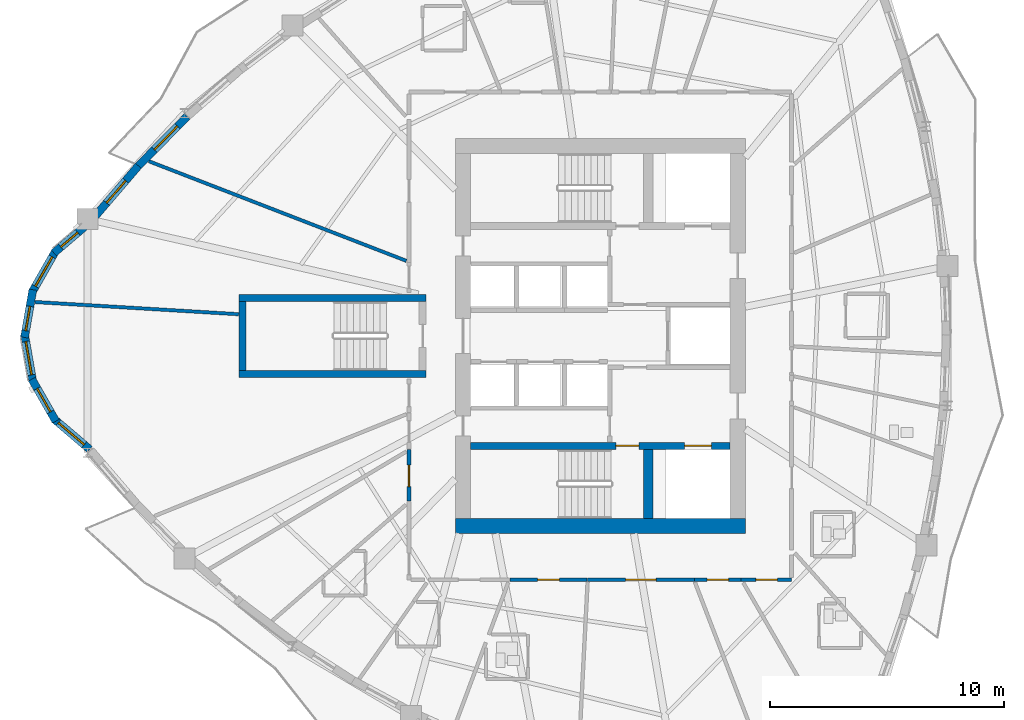
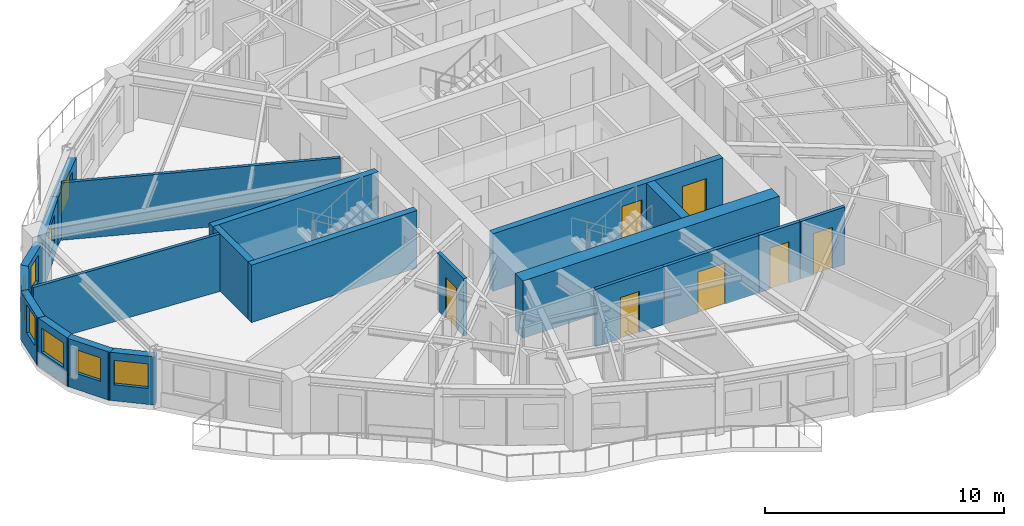
# One storey, part 4 of 13: 21 walls, 8 windows, 7 doors, 15 openings.
"""IFC4 building model written with IfcOpenShell, lengths in metres."""

from ifc_helpers import new_model, si_unit, direction, frame, frame_2d, origin, place, context, subcontext, project, spatial, rectangle, extrude, source, transform, mapped, material, layer, layer_set, type_object, element, fill, save


model = new_model("IFC4")

# Units and contexts
model_context = context("Model", 3, precision=1e-05, world=origin(), true_north=direction((0.0, 1.0)))
body_context = subcontext(model_context, "Body", "Model", "MODEL_VIEW")
ifc_project = project(units=[si_unit("LENGTHUNIT", "METRE"), si_unit("AREAUNIT", "SQUARE_METRE"), si_unit("VOLUMEUNIT", "CUBIC_METRE"), si_unit("PLANEANGLEUNIT", "RADIAN"), si_unit("MASSUNIT", "GRAM", prefix="KILO")], contexts=[model_context])

# Site, building, storey
site_placement = place(None, origin())
site = spatial("IfcSite", under=ifc_project, at=site_placement, CompositionType="ELEMENT")
building_placement = place(site_placement, origin())
building = spatial("IfcBuilding", under=site, at=building_placement, Name="Qafzar Sky-Pleat Residences", CompositionType="ELEMENT")
storey_placement = place(building_placement, frame((0.0, 0.0, 105.60009765625)))
storey = spatial("IfcBuildingStorey", under=building, at=storey_placement, Name="L31", CompositionType="ELEMENT", Elevation=105.60009765625)

# Wall, opening, door
ifc_material_1 = material(Name="Acoustic gypsum plasterboard partition", Category="gypsum")
ifc_layer_1 = layer(ifc_material_1, 0.159912109375)
ifc_layer_set_1 = layer_set([ifc_layer_1], Name="Acoustic gypsum plasterboard partition")
wall_type_1 = type_object("IfcWallType", Name="PART-COR-160", PredefinedType="PARTITIONING", material=ifc_layer_set_1)
wall_1_placement = place(storey_placement, frame((34.373046875, 15.570068359375, 0.0), z_axis=(0.0, 0.0, 1.0), x_axis=(-1.0, 0.0, 0.0)))
wall_1 = element("IfcWall", 1, at=wall_1_placement, inside=storey, type_object=wall_type_1, Name="L31 Partition Wall PART-L31-PW-004", PredefinedType="PARTITIONING", context=body_context, shape_type="SweptSolid", body=[
    extrude(rectangle(XDim=4.5771484375, YDim=0.159912109375, at=frame_2d((2.28857421875, 0.0))), origin(), (0.0, 0.0, 1.0), 2.934814453125),
])
opening_1_placement = place(wall_1_placement, frame((1.639404296875, 0.0, 0.0)))
opening_1 = element("IfcOpeningElement", 2, at=opening_1_placement, cuts=wall_1, Name="Opening ID-05", PredefinedType="OPENING", context=body_context, shape_type="SweptSolid", body=[
    extrude(rectangle(XDim=1.300048828125, YDim=2.10009765625, at=frame_2d((0.64990234375, 1.050048828125))), frame((0.0, 0.08984375, 0.0), z_axis=(0.0, -1.0, 0.0), x_axis=(1.0, 0.0, 0.0)), (0.0, 0.0, 1.0), 0.179931640625),
])
ifc_material_2 = material(Name="Timber-faced fire door", Category="wood")
door_type_1 = type_object("IfcDoorType", Name="DR-LNG-1300", OperationType="DOUBLE_DOOR_SINGLE_SWING", PredefinedType="DOOR", material=ifc_material_2)
shared_shape_1 = source(origin(), body_context, "Body", "SweptSolid", [
    extrude(rectangle(XDim=1.300048828125, YDim=2.10009765625, at=frame_2d((0.64990234375, 1.050048828125))), frame((0.0, 0.02490234375, 0.0), z_axis=(0.0, -1.0, 0.0), x_axis=(1.0, 0.0, 0.0)), (0.0, 0.0, 1.0), 0.050048828125),
])
door_1_placement = place(opening_1_placement, origin())
door_1 = element("IfcDoor", 3, at=door_1_placement, inside=storey, type_object=door_type_1, Name="L31 Co-Living Lounge Door", OperationType="DOUBLE_DOOR_SINGLE_SWING", OverallHeight=2.10009765625, OverallWidth=1.300048828125, PredefinedType="DOOR", context=body_context, shape_type="MappedRepresentation", body=[
    mapped(shared_shape_1, transform((0.0, 0.0, 0.0), x_axis=(1.0, 0.0, 0.0), y_axis=(0.0, 1.0, 0.0), z_axis=(0.0, 0.0, 1.0), scale=1.0)),
])
fill(opening_1, door_1)

wall_2_placement = place(storey_placement, frame((29.781005859375, 15.570068359375, 0.0), z_axis=(0.0, 0.0, 1.0), x_axis=(-1.0, 0.0, 0.0)))
wall_2 = element("IfcWall", 4, at=wall_2_placement, inside=storey, type_object=wall_type_1, Name="L31 Partition Wall PART-L31-PW-010", PredefinedType="PARTITIONING", context=body_context, shape_type="SweptSolid", body=[
    extrude(rectangle(XDim=3.29296875, YDim=0.159912109375, at=frame_2d((1.646484375, 0.0))), origin(), (0.0, 0.0, 1.0), 2.934814453125),
])
opening_2_placement = place(wall_2_placement, frame((1.18701171875, 0.0, 0.0)))
opening_2 = element("IfcOpeningElement", 5, at=opening_2_placement, cuts=wall_2, Name="Opening ID-04", PredefinedType="OPENING", context=body_context, shape_type="SweptSolid", body=[
    extrude(rectangle(XDim=0.919921875, YDim=2.10009765625, at=frame_2d((0.4599609375, 1.050048828125))), frame((0.0, 0.08984375, 0.0), z_axis=(0.0, -1.0, 0.0), x_axis=(1.0, 0.0, 0.0)), (0.0, 0.0, 1.0), 0.179931640625),
])
door_type_2 = type_object("IfcDoorType", Name="DR-BED-920", OperationType="NOTDEFINED", PredefinedType="DOOR", material=ifc_material_2)
shared_shape_2 = source(origin(), body_context, "Body", "SweptSolid", [
    extrude(rectangle(XDim=0.919921875, YDim=2.10009765625, at=frame_2d((0.4599609375, 1.050048828125))), frame((0.0, 0.02490234375, 0.0), z_axis=(0.0, -1.0, 0.0), x_axis=(1.0, 0.0, 0.0)), (0.0, 0.0, 1.0), 0.050048828125),
])
door_2_placement = place(opening_2_placement, origin())
door_2 = element("IfcDoor", 6, at=door_2_placement, inside=storey, type_object=door_type_2, Name="L31 Co-Living Bedroom 1 Door", OperationType="SINGLE_SWING_LEFT", OverallHeight=2.10009765625, OverallWidth=0.919921875, PredefinedType="DOOR", context=body_context, shape_type="MappedRepresentation", body=[
    mapped(shared_shape_2, transform((0.0, 0.0, 0.0), x_axis=(1.0, 0.0, 0.0), y_axis=(0.0, 1.0, 0.0), z_axis=(0.0, 0.0, 1.0), scale=1.0)),
])
fill(opening_2, door_2)

wall_3_placement = place(storey_placement, frame((22.169921875, 18.930908203125, 0.0), z_axis=(0.0, 0.0, 1.0), x_axis=(0.0, 1.0, 0.0)))
wall_3 = element("IfcWall", 7, at=wall_3_placement, inside=storey, type_object=wall_type_1, Name="L31 Partition Wall PART-L31-PW-012", PredefinedType="PARTITIONING", context=body_context, shape_type="SweptSolid", body=[
    extrude(rectangle(XDim=2.210205078125, YDim=0.159912109375, at=frame_2d((1.10498046875, 0.0))), origin(), (0.0, 0.0, 1.0), 2.934814453125),
])
opening_3_placement = place(wall_3_placement, frame((0.618896484375, 0.0, 0.0)))
opening_3 = element("IfcOpeningElement", 8, at=opening_3_placement, cuts=wall_3, Name="Opening ID-04", PredefinedType="OPENING", context=body_context, shape_type="SweptSolid", body=[
    extrude(rectangle(XDim=0.919921875, YDim=2.10009765625, at=frame_2d((0.4599609375, 1.050048828125))), frame((0.0, 0.08984375, 0.0), z_axis=(0.0, -1.0, 0.0), x_axis=(1.0, 0.0, 0.0)), (0.0, 0.0, 1.0), 0.179931640625),
])
door_3_placement = place(opening_3_placement, origin())
door_3 = element("IfcDoor", 9, at=door_3_placement, inside=storey, type_object=door_type_2, Name="L31 Co-Living Bedroom 12 Door", OperationType="SINGLE_SWING_LEFT", OverallHeight=2.10009765625, OverallWidth=0.919921875, PredefinedType="DOOR", context=body_context, shape_type="MappedRepresentation", body=[
    mapped(shared_shape_2, transform((0.0, 0.0, 0.0), x_axis=(1.0, 0.0, 0.0), y_axis=(0.0, 1.0, 0.0), z_axis=(0.0, 0.0, 1.0), scale=1.0)),
])
fill(opening_3, door_3)

wall_4_placement = place(storey_placement, frame((38.530029296875, 15.570068359375, 0.0), z_axis=(0.0, 0.0, 1.0), x_axis=(-1.0, 0.0, 0.0)))
wall_4 = element("IfcWall", 10, at=wall_4_placement, inside=storey, type_object=wall_type_1, Name="L31 Partition Wall PART-L31-PW-013", PredefinedType="PARTITIONING", context=body_context, shape_type="SweptSolid", body=[
    extrude(rectangle(XDim=2.156005859375, YDim=0.159912109375, at=frame_2d((1.078125, 0.0))), origin(), (0.0, 0.0, 1.0), 2.934814453125),
])
opening_4_placement = place(wall_4_placement, frame((0.60888671875, 0.0, 0.0)))
opening_4 = element("IfcOpeningElement", 11, at=opening_4_placement, cuts=wall_4, Name="Opening ID-04", PredefinedType="OPENING", context=body_context, shape_type="SweptSolid", body=[
    extrude(rectangle(XDim=0.919921875, YDim=2.10009765625, at=frame_2d((0.4599609375, 1.050048828125))), frame((0.0, 0.08984375, 0.0), z_axis=(0.0, -1.0, 0.0), x_axis=(1.0, 0.0, 0.0)), (0.0, 0.0, 1.0), 0.179931640625),
])
door_4_placement = place(opening_4_placement, origin())
door_4 = element("IfcDoor", 12, at=door_4_placement, inside=storey, type_object=door_type_2, Name="L31 Co-Living Bedroom 3 Door", OperationType="SINGLE_SWING_RIGHT", OverallHeight=2.10009765625, OverallWidth=0.919921875, PredefinedType="DOOR", context=body_context, shape_type="MappedRepresentation", body=[
    mapped(shared_shape_2, transform((0.0, 0.0, 0.0), x_axis=(1.0, 0.0, 0.0), y_axis=(0.0, 1.0, 0.0), z_axis=(0.0, 0.0, 1.0), scale=1.0)),
])
fill(opening_4, door_4)

wall_5_placement = place(storey_placement, frame((36.35888671875, 15.570068359375, 0.0), z_axis=(0.0, 0.0, 1.0), x_axis=(-1.0, 0.0, 0.0)))
wall_5 = element("IfcWall", 13, at=wall_5_placement, inside=storey, type_object=wall_type_1, Name="L31 Partition Wall PART-L31-PW-015", PredefinedType="PARTITIONING", context=body_context, shape_type="SweptSolid", body=[
    extrude(rectangle(XDim=1.970947265625, YDim=0.159912109375, at=frame_2d((0.9853515625, 0.0))), origin(), (0.0, 0.0, 1.0), 2.934814453125),
])
opening_5_placement = place(wall_5_placement, frame((0.52490234375, 0.0, 0.0)))
opening_5 = element("IfcOpeningElement", 14, at=opening_5_placement, cuts=wall_5, Name="Opening ID-04", PredefinedType="OPENING", context=body_context, shape_type="SweptSolid", body=[
    extrude(rectangle(XDim=0.919921875, YDim=2.10009765625, at=frame_2d((0.4599609375, 1.050048828125))), frame((0.0, 0.08984375, 0.0), z_axis=(0.0, -1.0, 0.0), x_axis=(1.0, 0.0, 0.0)), (0.0, 0.0, 1.0), 0.179931640625),
])
door_5_placement = place(opening_5_placement, origin())
door_5 = element("IfcDoor", 15, at=door_5_placement, inside=storey, type_object=door_type_2, Name="L31 Co-Living Bedroom 2 Door", OperationType="SINGLE_SWING_RIGHT", OverallHeight=2.10009765625, OverallWidth=0.919921875, PredefinedType="DOOR", context=body_context, shape_type="MappedRepresentation", body=[
    mapped(shared_shape_2, transform((0.0, 0.0, 0.0), x_axis=(1.0, 0.0, 0.0), y_axis=(0.0, 1.0, 0.0), z_axis=(0.0, 0.0, 1.0), scale=1.0)),
])
fill(opening_5, door_5)

# Walls
ifc_layer_2 = layer(ifc_material_1, 0.14501953125)
ifc_layer_set_2 = layer_set([ifc_layer_2], Name="Acoustic gypsum plasterboard partition")
wall_type_2 = type_object("IfcWallType", Name="PART-UNIT-145", PredefinedType="PARTITIONING", material=ifc_layer_set_2)
wall_6_placement = place(storey_placement, frame((11.044921875, 33.467529296875, 0.0), z_axis=(0.0, 0.0, 1.0), x_axis=(0.932653180854, -0.360774228906, 0.0)))
element("IfcWall", 16, at=wall_6_placement, inside=storey, type_object=wall_type_2, Name="L31 Partition Wall PART-L31-PW-031", PredefinedType="PARTITIONING", context=body_context, shape_type="SweptSolid", body=[
    extrude(rectangle(XDim=11.806640625, YDim=0.14501953125, at=frame_2d((5.9033203125, 0.0))), origin(), (0.0, 0.0, 1.0), 2.934814453125),
])
wall_7_placement = place(storey_placement, frame((6.1796875, 27.447509765625, 0.0), z_axis=(0.0, 0.0, 1.0), x_axis=(0.998209995059, -0.059806402362, 0.0)))
element("IfcWall", 17, at=wall_7_placement, inside=storey, type_object=wall_type_2, Name="L31 Partition Wall PART-L31-PW-038", PredefinedType="PARTITIONING", context=body_context, shape_type="SweptSolid", body=[
    extrude(rectangle(XDim=8.7236328125, YDim=0.14501953125, at=frame_2d((4.36181640625, 0.0))), origin(), (0.0, 0.0, 1.0), 2.934814453125),
])

# Wall, opening, window
ifc_material_3 = material(Name="Precast concrete C40/50 with honed Riyadh limestone", Category="concrete")
ifc_layer_3 = layer(ifc_material_3, 0.340087890625)
ifc_layer_set_3 = layer_set([ifc_layer_3], Name="Precast concrete C40/50 with honed Riyadh limestone")
wall_type_3 = type_object("IfcWallType", Name="WALL-EXT-340", PredefinedType="SOLIDWALL", material=ifc_layer_set_3)
wall_8_placement = place(storey_placement, frame((8.354736328125, 30.7177734375, 0.0), z_axis=(0.0, 0.0, 1.0), x_axis=(-0.761134405886, -0.648594184507, 0.0)))
wall_8 = element("IfcWall", 18, at=wall_8_placement, inside=storey, type_object=wall_type_3, Name="L31 Limestone Facade Wall 1", PredefinedType="SOLIDWALL", context=body_context, shape_type="SweptSolid", body=[
    extrude(rectangle(XDim=1.804931640625, YDim=0.340087890625, at=frame_2d((0.90234375, 0.0))), origin(), (0.0, 0.0, 1.0), 2.46484375),
])
opening_6_placement = place(wall_8_placement, frame((0.46240234375, 0.0, 0.820068359375)))
opening_6 = element("IfcOpeningElement", 19, at=opening_6_placement, cuts=wall_8, Name="Opening WN-12", PredefinedType="OPENING", context=body_context, shape_type="SweptSolid", body=[
    extrude(rectangle(XDim=0.949951171875, YDim=1.35009765625, at=frame_2d((0.47509765625, 0.675048828125))), frame((0.0, 0.18017578125, 0.0), z_axis=(0.0, -1.0, 0.0), x_axis=(1.0, 0.0, 0.0)), (0.0, 0.0, 1.0), 0.360107421875),
])
ifc_material_4 = material(Name="Solar-control low-E glass in bronze aluminium frame", Category="glass")
window_type_1 = type_object("IfcWindowType", Name="WIN-12", PartitioningType="SINGLE_PANEL", PredefinedType="WINDOW", material=ifc_material_4)
shared_shape_3 = source(origin(), body_context, "Body", "SweptSolid", [
    extrude(rectangle(XDim=0.949951171875, YDim=1.35009765625, at=frame_2d((0.47509765625, 0.675048828125))), frame((0.0, 0.030029296875, 0.0), z_axis=(0.0, -1.0, 0.0), x_axis=(1.0, 0.0, 0.0)), (0.0, 0.0, 1.0), 0.06005859375),
])
window_1_placement = place(opening_6_placement, origin())
window_1 = element("IfcWindow", 20, at=window_1_placement, inside=storey, type_object=window_type_1, Name="L31 Punched Facade Window 01", OverallHeight=1.35009765625, OverallWidth=0.949951171875, PartitioningType="SINGLE_PANEL", PredefinedType="WINDOW", context=body_context, shape_type="MappedRepresentation", body=[
    mapped(shared_shape_3, transform((0.0, 0.0, 0.0), x_axis=(1.0, 0.0, 0.0), y_axis=(0.0, 1.0, 0.0), z_axis=(0.0, 0.0, 1.0), scale=1.0)),
])
fill(opening_6, window_1)

wall_9_placement = place(storey_placement, frame((7.066162109375, 29.64990234375, 0.0), z_axis=(0.0, 0.0, 1.0), x_axis=(-0.496037473582, -0.868301114132, 0.0)))
wall_9 = element("IfcWall", 21, at=wall_9_placement, inside=storey, type_object=wall_type_3, Name="L31 Limestone Facade Wall 2", PredefinedType="SOLIDWALL", context=body_context, shape_type="SweptSolid", body=[
    extrude(rectangle(XDim=2.072998046875, YDim=0.340087890625, at=frame_2d((1.03662109375, 0.0))), origin(), (0.0, 0.0, 1.0), 2.46484375),
])
opening_7_placement = place(wall_9_placement, frame((0.3115234375, 0.0, 0.820068359375)))
opening_7 = element("IfcOpeningElement", 22, at=opening_7_placement, cuts=wall_9, Name="Opening WN-15", PredefinedType="OPENING", context=body_context, shape_type="SweptSolid", body=[
    extrude(rectangle(XDim=1.449951171875, YDim=1.25, at=frame_2d((0.72509765625, 0.625))), frame((0.0, 0.18017578125, 0.0), z_axis=(0.0, -1.0, 0.0), x_axis=(1.0, 0.0, 0.0)), (0.0, 0.0, 1.0), 0.360107421875),
])
window_type_2 = type_object("IfcWindowType", Name="WIN-15", PartitioningType="SINGLE_PANEL", PredefinedType="WINDOW", material=ifc_material_4)
shared_shape_4 = source(origin(), body_context, "Body", "SweptSolid", [
    extrude(rectangle(XDim=1.449951171875, YDim=1.25, at=frame_2d((0.72509765625, 0.625))), frame((0.0, 0.030029296875, 0.0), z_axis=(0.0, -1.0, 0.0), x_axis=(1.0, 0.0, 0.0)), (0.0, 0.0, 1.0), 0.06005859375),
])
window_2_placement = place(opening_7_placement, origin())
window_2 = element("IfcWindow", 23, at=window_2_placement, inside=storey, type_object=window_type_2, Name="L31 Punched Facade Window 02", OverallHeight=1.25, OverallWidth=1.449951171875, PartitioningType="SINGLE_PANEL", PredefinedType="WINDOW", context=body_context, shape_type="MappedRepresentation", body=[
    mapped(shared_shape_4, transform((0.0, 0.0, 0.0), x_axis=(1.0, 0.0, 0.0), y_axis=(0.0, 1.0, 0.0), z_axis=(0.0, 0.0, 1.0), scale=1.0)),
])
fill(opening_7, window_2)

wall_10_placement = place(storey_placement, frame((6.0830078125, 27.975341796875, 0.0), z_axis=(0.0, 0.0, 1.0), x_axis=(-0.172186061474, -0.985064444711, 0.0)))
wall_10 = element("IfcWall", 24, at=wall_10_placement, inside=storey, type_object=wall_type_3, Name="L31 Limestone Facade Wall 3", PredefinedType="SOLIDWALL", context=body_context, shape_type="SweptSolid", body=[
    extrude(rectangle(XDim=2.072998046875, YDim=0.340087890625, at=frame_2d((1.03662109375, 0.0))), origin(), (0.0, 0.0, 1.0), 2.46484375),
])
opening_8_placement = place(wall_10_placement, frame((0.724609375, 0.0, 0.820068359375)))
opening_8 = element("IfcOpeningElement", 25, at=opening_8_placement, cuts=wall_10, Name="Opening WN-06", PredefinedType="OPENING", context=body_context, shape_type="SweptSolid", body=[
    extrude(rectangle(XDim=1.050048828125, YDim=1.449951171875, at=frame_2d((0.52490234375, 0.72509765625))), frame((0.0, 0.18017578125, 0.0), z_axis=(0.0, -1.0, 0.0), x_axis=(1.0, 0.0, 0.0)), (0.0, 0.0, 1.0), 0.360107421875),
])
window_type_3 = type_object("IfcWindowType", Name="WIN-06", PartitioningType="SINGLE_PANEL", PredefinedType="WINDOW", material=ifc_material_4)
shared_shape_5 = source(origin(), body_context, "Body", "SweptSolid", [
    extrude(rectangle(XDim=1.050048828125, YDim=1.449951171875, at=frame_2d((0.52490234375, 0.72509765625))), frame((0.0, 0.030029296875, 0.0), z_axis=(0.0, -1.0, 0.0), x_axis=(1.0, 0.0, 0.0)), (0.0, 0.0, 1.0), 0.06005859375),
])
window_3_placement = place(opening_8_placement, origin())
window_3 = element("IfcWindow", 26, at=window_3_placement, inside=storey, type_object=window_type_3, Name="L31 Punched Facade Window 03-2", OverallHeight=1.449951171875, OverallWidth=1.050048828125, PartitioningType="SINGLE_PANEL", PredefinedType="WINDOW", context=body_context, shape_type="MappedRepresentation", body=[
    mapped(shared_shape_5, transform((0.0, 0.0, 0.0), x_axis=(1.0, 0.0, 0.0), y_axis=(0.0, 1.0, 0.0), z_axis=(0.0, 0.0, 1.0), scale=1.0)),
])
fill(opening_8, window_3)

wall_11_placement = place(storey_placement, frame((5.72607421875, 26.066650390625, 0.0), z_axis=(0.0, 0.0, 1.0), x_axis=(0.172186061474, -0.985064444711, 0.0)))
wall_11 = element("IfcWall", 27, at=wall_11_placement, inside=storey, type_object=wall_type_3, Name="L31 Limestone Facade Wall 4", PredefinedType="SOLIDWALL", context=body_context, shape_type="SweptSolid", body=[
    extrude(rectangle(XDim=2.072998046875, YDim=0.340087890625, at=frame_2d((1.03662109375, 0.0))), origin(), (0.0, 0.0, 1.0), 2.46484375),
])
opening_9_placement = place(wall_11_placement, frame((0.3115234375, 0.0, 0.820068359375)))
opening_9 = element("IfcOpeningElement", 28, at=opening_9_placement, cuts=wall_11, Name="Opening WN-15", PredefinedType="OPENING", context=body_context, shape_type="SweptSolid", body=[
    extrude(rectangle(XDim=1.449951171875, YDim=1.25, at=frame_2d((0.72509765625, 0.625))), frame((0.0, 0.18017578125, 0.0), z_axis=(0.0, -1.0, 0.0), x_axis=(1.0, 0.0, 0.0)), (0.0, 0.0, 1.0), 0.360107421875),
])
window_4_placement = place(opening_9_placement, origin())
window_4 = element("IfcWindow", 29, at=window_4_placement, inside=storey, type_object=window_type_2, Name="L31 Punched Facade Window 04", OverallHeight=1.25, OverallWidth=1.449951171875, PartitioningType="SINGLE_PANEL", PredefinedType="WINDOW", context=body_context, shape_type="MappedRepresentation", body=[
    mapped(shared_shape_4, transform((0.0, 0.0, 0.0), x_axis=(1.0, 0.0, 0.0), y_axis=(0.0, 1.0, 0.0), z_axis=(0.0, 0.0, 1.0), scale=1.0)),
])
fill(opening_9, window_4)

wall_12_placement = place(storey_placement, frame((6.037841796875, 24.150146484375, 0.0), z_axis=(0.0, 0.0, 1.0), x_axis=(0.496037473582, -0.868301114132, 0.0)))
wall_12 = element("IfcWall", 30, at=wall_12_placement, inside=storey, type_object=wall_type_3, Name="L31 Limestone Facade Wall 5", PredefinedType="SOLIDWALL", context=body_context, shape_type="SweptSolid", body=[
    extrude(rectangle(XDim=2.072998046875, YDim=0.340087890625, at=frame_2d((1.03662109375, 0.0))), origin(), (0.0, 0.0, 1.0), 2.46484375),
])
opening_10_placement = place(wall_12_placement, frame((0.46142578125, 0.0, 0.820068359375)))
opening_10 = element("IfcOpeningElement", 31, at=opening_10_placement, cuts=wall_12, Name="Opening WN-16", PredefinedType="OPENING", context=body_context, shape_type="SweptSolid", body=[
    extrude(rectangle(XDim=1.14990234375, YDim=1.199951171875, at=frame_2d((0.574951171875, 0.60009765625))), frame((0.0, 0.18017578125, 0.0), z_axis=(0.0, -1.0, 0.0), x_axis=(1.0, 0.0, 0.0)), (0.0, 0.0, 1.0), 0.360107421875),
])
window_type_4 = type_object("IfcWindowType", Name="WIN-16", PartitioningType="SINGLE_PANEL", PredefinedType="WINDOW", material=ifc_material_4)
shared_shape_6 = source(origin(), body_context, "Body", "SweptSolid", [
    extrude(rectangle(XDim=1.14990234375, YDim=1.199951171875, at=frame_2d((0.574951171875, 0.60009765625))), frame((0.0, 0.030029296875, 0.0), z_axis=(0.0, -1.0, 0.0), x_axis=(1.0, 0.0, 0.0)), (0.0, 0.0, 1.0), 0.06005859375),
])
window_5_placement = place(opening_10_placement, origin())
window_5 = element("IfcWindow", 32, at=window_5_placement, inside=storey, type_object=window_type_4, Name="L31 Punched Facade Window 05", OverallHeight=1.199951171875, OverallWidth=1.14990234375, PartitioningType="SINGLE_PANEL", PredefinedType="WINDOW", context=body_context, shape_type="MappedRepresentation", body=[
    mapped(shared_shape_6, transform((0.0, 0.0, 0.0), x_axis=(1.0, 0.0, 0.0), y_axis=(0.0, 1.0, 0.0), z_axis=(0.0, 0.0, 1.0), scale=1.0)),
])
fill(opening_10, window_5)

wall_13_placement = place(storey_placement, frame((6.98095703125, 22.452880859375, 0.0), z_axis=(0.0, 0.0, 1.0), x_axis=(0.761092561451, -0.648643286332, 0.0)))
wall_13 = element("IfcWall", 33, at=wall_13_placement, inside=storey, type_object=wall_type_3, Name="L31 Limestone Facade Wall 6", PredefinedType="SOLIDWALL", context=body_context, shape_type="SweptSolid", body=[
    extrude(rectangle(XDim=2.014892578125, YDim=0.340087890625, at=frame_2d((1.00732421875, 0.0))), origin(), (0.0, 0.0, 1.0), 2.46484375),
])
opening_11_placement = place(wall_13_placement, frame((0.25244140625, 0.0, 0.820068359375)))
opening_11 = element("IfcOpeningElement", 34, at=opening_11_placement, cuts=wall_13, Name="Opening WN-15", PredefinedType="OPENING", context=body_context, shape_type="SweptSolid", body=[
    extrude(rectangle(XDim=1.449951171875, YDim=1.25, at=frame_2d((0.72509765625, 0.625))), frame((0.0, 0.18017578125, 0.0), z_axis=(0.0, -1.0, 0.0), x_axis=(1.0, 0.0, 0.0)), (0.0, 0.0, 1.0), 0.360107421875),
])
window_6_placement = place(opening_11_placement, origin())
window_6 = element("IfcWindow", 35, at=window_6_placement, inside=storey, type_object=window_type_2, Name="L31 Punched Facade Window 06", OverallHeight=1.25, OverallWidth=1.449951171875, PartitioningType="SINGLE_PANEL", PredefinedType="WINDOW", context=body_context, shape_type="MappedRepresentation", body=[
    mapped(shared_shape_4, transform((0.0, 0.0, 0.0), x_axis=(1.0, 0.0, 0.0), y_axis=(0.0, 1.0, 0.0), z_axis=(0.0, 0.0, 1.0), scale=1.0)),
])
fill(opening_11, window_6)

wall_14_placement = place(storey_placement, frame((12.681640625, 35.386474609375, 0.0), z_axis=(0.0, 0.0, 1.0), x_axis=(-0.701899134886, -0.712276353985, 0.0)))
wall_14 = element("IfcWall", 36, at=wall_14_placement, inside=storey, type_object=wall_type_3, Name="L31 Limestone Facade Wall 47", PredefinedType="SOLIDWALL", context=body_context, shape_type="SweptSolid", body=[
    extrude(rectangle(XDim=3.058349609375, YDim=0.340087890625, at=frame_2d((1.529296875, 0.0))), origin(), (0.0, 0.0, 1.0), 2.46484375),
])
opening_12_placement = place(wall_14_placement, frame((0.592529296875, 0.0, 0.820068359375)))
opening_12 = element("IfcOpeningElement", 37, at=opening_12_placement, cuts=wall_14, Name="Opening WN-10", PredefinedType="OPENING", context=body_context, shape_type="SweptSolid", body=[
    extrude(rectangle(XDim=1.39990234375, YDim=1.35009765625, at=frame_2d((0.699951171875, 0.675048828125))), frame((0.0, 0.18017578125, 0.0), z_axis=(0.0, -1.0, 0.0), x_axis=(1.0, 0.0, 0.0)), (0.0, 0.0, 1.0), 0.360107421875),
])
window_type_5 = type_object("IfcWindowType", Name="WIN-10", PartitioningType="SINGLE_PANEL", PredefinedType="WINDOW", material=ifc_material_4)
shared_shape_7 = source(origin(), body_context, "Body", "SweptSolid", [
    extrude(rectangle(XDim=1.39990234375, YDim=1.35009765625, at=frame_2d((0.699951171875, 0.675048828125))), frame((0.0, 0.030029296875, 0.0), z_axis=(0.0, -1.0, 0.0), x_axis=(1.0, 0.0, 0.0)), (0.0, 0.0, 1.0), 0.06005859375),
])
window_7_placement = place(opening_12_placement, origin())
window_7 = element("IfcWindow", 38, at=window_7_placement, inside=storey, type_object=window_type_5, Name="L31 Punched Facade Window 47", OverallHeight=1.35009765625, OverallWidth=1.39990234375, PartitioningType="SINGLE_PANEL", PredefinedType="WINDOW", context=body_context, shape_type="MappedRepresentation", body=[
    mapped(shared_shape_7, transform((0.0, 0.0, 0.0), x_axis=(1.0, 0.0, 0.0), y_axis=(0.0, 1.0, 0.0), z_axis=(0.0, 0.0, 1.0), scale=1.0)),
])
fill(opening_12, window_7)

wall_15_placement = place(storey_placement, frame((10.59423828125, 33.2724609375, 0.0), z_axis=(0.0, 0.0, 1.0), x_axis=(-0.650763769467, -0.759280262057, 0.0)))
wall_15 = element("IfcWall", 39, at=wall_15_placement, inside=storey, type_object=wall_type_3, Name="L31 Limestone Facade Wall 48", PredefinedType="SOLIDWALL", context=body_context, shape_type="SweptSolid", body=[
    extrude(rectangle(XDim=2.91357421875, YDim=0.340087890625, at=frame_2d((1.456787109375, 0.0))), origin(), (0.0, 0.0, 1.0), 2.46484375),
])
opening_13_placement = place(wall_15_placement, frame((0.8369140625, 0.0, 0.820068359375)))
opening_13 = element("IfcOpeningElement", 40, at=opening_13_placement, cuts=wall_15, Name="Opening WN-11", PredefinedType="OPENING", context=body_context, shape_type="SweptSolid", body=[
    extrude(rectangle(XDim=1.25, YDim=1.35009765625, at=frame_2d((0.625, 0.675048828125))), frame((0.0, 0.18017578125, 0.0), z_axis=(0.0, -1.0, 0.0), x_axis=(1.0, 0.0, 0.0)), (0.0, 0.0, 1.0), 0.360107421875),
])
window_type_6 = type_object("IfcWindowType", Name="WIN-11", PartitioningType="SINGLE_PANEL", PredefinedType="WINDOW", material=ifc_material_4)
shared_shape_8 = source(origin(), body_context, "Body", "SweptSolid", [
    extrude(rectangle(XDim=1.25, YDim=1.35009765625, at=frame_2d((0.625, 0.675048828125))), frame((0.0, 0.030029296875, 0.0), z_axis=(0.0, -1.0, 0.0), x_axis=(1.0, 0.0, 0.0)), (0.0, 0.0, 1.0), 0.06005859375),
])
window_8_placement = place(opening_13_placement, origin())
window_8 = element("IfcWindow", 41, at=window_8_placement, inside=storey, type_object=window_type_6, Name="L31 Punched Facade Window 48", OverallHeight=1.35009765625, OverallWidth=1.25, PartitioningType="SINGLE_PANEL", PredefinedType="WINDOW", context=body_context, shape_type="MappedRepresentation", body=[
    mapped(shared_shape_8, transform((0.0, 0.0, 0.0), x_axis=(1.0, 0.0, 0.0), y_axis=(0.0, 1.0, 0.0), z_axis=(0.0, 0.0, 1.0), scale=1.0)),
])
fill(opening_13, window_8)

# Wall, openings, doors
ifc_material_5 = material(Name="Concrete C60/75", Category="concrete")
ifc_layer_4 = layer(ifc_material_5, 0.300048828125)
ifc_layer_set_4 = layer_set([ifc_layer_4], Name="Concrete C60/75")
wall_type_4 = type_object("IfcWallType", Name="WALL-SHEAR-300", PredefinedType="SHEAR", material=ifc_layer_set_4)
wall_16_placement = place(storey_placement, frame((24.800048828125, 21.300048828125, 0.0), z_axis=(0.0, 0.0, 1.0), x_axis=(1.0, 0.0, 0.0)))
wall_16 = element("IfcWall", 42, at=wall_16_placement, inside=storey, type_object=wall_type_4, Name="L31 Stair ST1 and FF1 Shaft North Wall", PredefinedType="SHEAR", context=body_context, shape_type="SweptSolid", body=[
    extrude(rectangle(XDim=11.099853515625, YDim=0.300048828125, at=frame_2d((5.5498046875, 0.0))), origin(), (0.0, 0.0, 1.0), 2.934814453125),
])
opening_14_placement = place(wall_16_placement, frame((6.219970703125, 0.0, 0.0)))
opening_14 = element("IfcOpeningElement", 43, at=opening_14_placement, cuts=wall_16, Name="Opening ID-01", PredefinedType="OPENING", context=body_context, shape_type="SweptSolid", body=[
    extrude(rectangle(XDim=0.97998046875, YDim=2.14990234375, at=frame_2d((0.489990234375, 1.074951171875))), frame((0.0, 0.16015625, 0.0), z_axis=(0.0, -1.0, 0.0), x_axis=(1.0, 0.0, 0.0)), (0.0, 0.0, 1.0), 0.320068359375),
])
opening_15_placement = place(wall_16_placement, frame((9.14990234375, 0.0, 0.0)))
opening_15 = element("IfcOpeningElement", 44, at=opening_15_placement, cuts=wall_16, Name="Opening LD-02", PredefinedType="OPENING", context=body_context, shape_type="SweptSolid", body=[
    extrude(rectangle(XDim=1.14990234375, YDim=2.14990234375, at=frame_2d((0.574951171875, 1.074951171875))), frame((0.0, 0.16015625, 0.0), z_axis=(0.0, -1.0, 0.0), x_axis=(1.0, 0.0, 0.0)), (0.0, 0.0, 1.0), 0.320068359375),
])
door_type_3 = type_object("IfcDoorType", Name="DR-STAIR-980", OperationType="NOTDEFINED", PredefinedType="DOOR", material=ifc_material_2)
shared_shape_9 = source(origin(), body_context, "Body", "SweptSolid", [
    extrude(rectangle(XDim=0.97998046875, YDim=2.14990234375, at=frame_2d((0.489990234375, 1.074951171875))), frame((0.0, 0.02490234375, 0.0), z_axis=(0.0, -1.0, 0.0), x_axis=(1.0, 0.0, 0.0)), (0.0, 0.0, 1.0), 0.050048828125),
])
door_6_placement = place(opening_14_placement, origin())
door_6 = element("IfcDoor", 45, at=door_6_placement, inside=storey, type_object=door_type_3, Name="L31 Stair ST1 Fire Door", OperationType="SINGLE_SWING_LEFT", OverallHeight=2.14990234375, OverallWidth=0.97998046875, PredefinedType="DOOR", context=body_context, shape_type="MappedRepresentation", body=[
    mapped(shared_shape_9, transform((0.0, 0.0, 0.0), x_axis=(1.0, 0.0, 0.0), y_axis=(0.0, 1.0, 0.0), z_axis=(0.0, 0.0, 1.0), scale=1.0)),
])
fill(opening_14, door_6)
ifc_material_6 = material(Name="Stainless steel sliding landing door", Category="steel")
door_type_4 = type_object("IfcDoorType", Name="DR-LIFT-FF", OperationType="DOUBLE_DOOR_SLIDING", PredefinedType="DOOR", material=ifc_material_6)
shared_shape_10 = source(origin(), body_context, "Body", "SweptSolid", [
    extrude(rectangle(XDim=1.14990234375, YDim=2.14990234375, at=frame_2d((0.574951171875, 1.074951171875))), frame((0.0, 0.02490234375, 0.0), z_axis=(0.0, -1.0, 0.0), x_axis=(1.0, 0.0, 0.0)), (0.0, 0.0, 1.0), 0.050048828125),
])
door_7_placement = place(opening_15_placement, origin())
door_7 = element("IfcDoor", 46, at=door_7_placement, inside=storey, type_object=door_type_4, Name="L31 Firefighting Lift FF1 Landing Door", OperationType="DOUBLE_DOOR_SLIDING", OverallHeight=2.14990234375, OverallWidth=1.14990234375, PredefinedType="DOOR", context=body_context, shape_type="MappedRepresentation", body=[
    mapped(shared_shape_10, transform((0.0, 0.0, 0.0), x_axis=(1.0, 0.0, 0.0), y_axis=(0.0, 1.0, 0.0), z_axis=(0.0, 0.0, 1.0), scale=1.0)),
])
fill(opening_15, door_7)

# Walls
for number, where, z_axis, x_axis, name in (
    (47, (14.89990234375, 24.375, 0.0), (0.0, 0.0, 1.0), (1.0, 0.0, 0.0), "L31 ST3 wall S"),
    (48, (22.89990234375, 27.625, 0.0), (0.0, 0.0, 1.0), (-1.0, 0.0, 0.0), "L31 ST3 wall N"),
):
    element("IfcWall", number, at=place(storey_placement, frame(where, z_axis=z_axis, x_axis=x_axis)), inside=storey, type_object=wall_type_4, Name=name, PredefinedType="SHEAR", context=body_context, shape_type="SweptSolid", body=[
        extrude(rectangle(XDim=8.0, YDim=0.300048828125, at=frame_2d((4.0, 0.0))), origin(), (0.0, 0.0, 1.0), 2.934814453125),
    ])
wall_17_placement = place(storey_placement, frame((15.050048828125, 27.47509765625, 0.0), z_axis=(0.0, 0.0, 1.0), x_axis=(0.0, -1.0, 0.0)))
element("IfcWall", 49, at=wall_17_placement, inside=storey, type_object=wall_type_4, Name="L31 ST3 wall W", PredefinedType="SHEAR", context=body_context, shape_type="SweptSolid", body=[
    extrude(rectangle(XDim=2.9501953125, YDim=0.300048828125, at=frame_2d((1.47509765625, 0.0))), origin(), (0.0, 0.0, 1.0), 2.934814453125),
])
ifc_layer_5 = layer(ifc_material_5, 0.39990234375)
ifc_layer_set_5 = layer_set([ifc_layer_5], Name="Concrete C60/75")
wall_type_5 = type_object("IfcWallType", Name="WALL-SHEAR-400", PredefinedType="SHEAR", material=ifc_layer_set_5)
wall_18_placement = place(storey_placement, frame((32.39990234375, 18.199951171875, 0.0), z_axis=(0.0, 0.0, 1.0), x_axis=(0.0, 1.0, 0.0)))
element("IfcWall", 50, at=wall_18_placement, inside=storey, type_object=wall_type_5, Name="L31 Stair ST1 East Dividing Wall", PredefinedType="SHEAR", context=body_context, shape_type="SweptSolid", body=[
    extrude(rectangle(XDim=2.949951171875, YDim=0.39990234375, at=frame_2d((1.47509765625, 0.0))), origin(), (0.0, 0.0, 1.0), 2.934814453125),
])
ifc_layer_6 = layer(ifc_material_5, 0.64990234375)
ifc_layer_set_6 = layer_set([ifc_layer_6], Name="Concrete C60/75")
wall_type_6 = type_object("IfcWallType", Name="WALL-SHEAR-650", PredefinedType="SHEAR", material=ifc_layer_set_6)
wall_19_placement = place(storey_placement, frame((24.14990234375, 17.875, 0.0), z_axis=(0.0, 0.0, 1.0), x_axis=(1.0, 0.0, 0.0)))
element("IfcWall", 51, at=wall_19_placement, inside=storey, type_object=wall_type_6, Name="L31 CORE wall S", PredefinedType="SHEAR", context=body_context, shape_type="SweptSolid", body=[
    extrude(rectangle(XDim=12.400146484375, YDim=0.64990234375, at=frame_2d((6.2001953125, 0.0))), origin(), (0.0, 0.0, 1.0), 2.934814453125),
])

save(model, "model.ifc")
